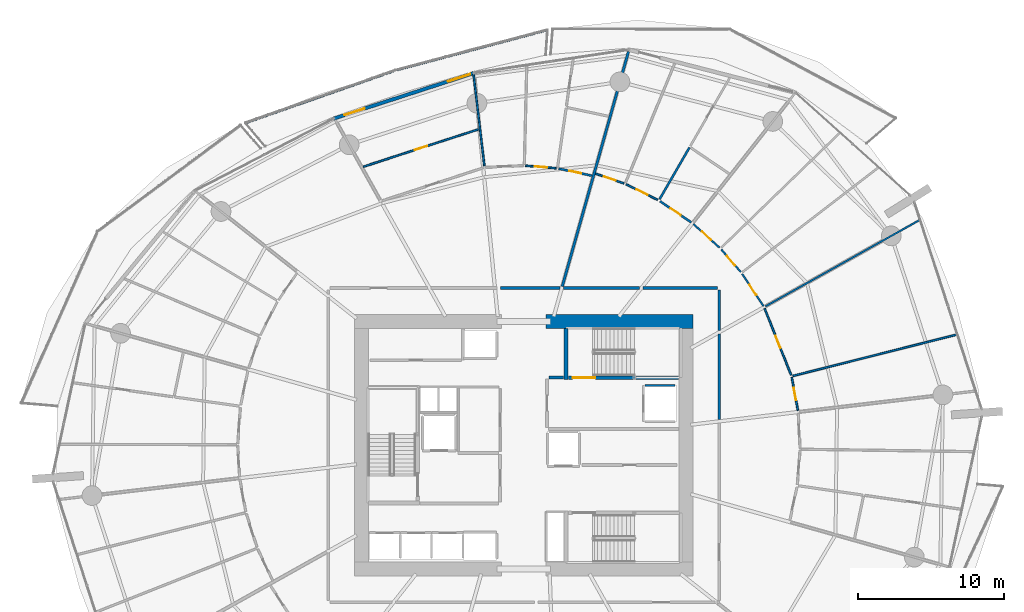
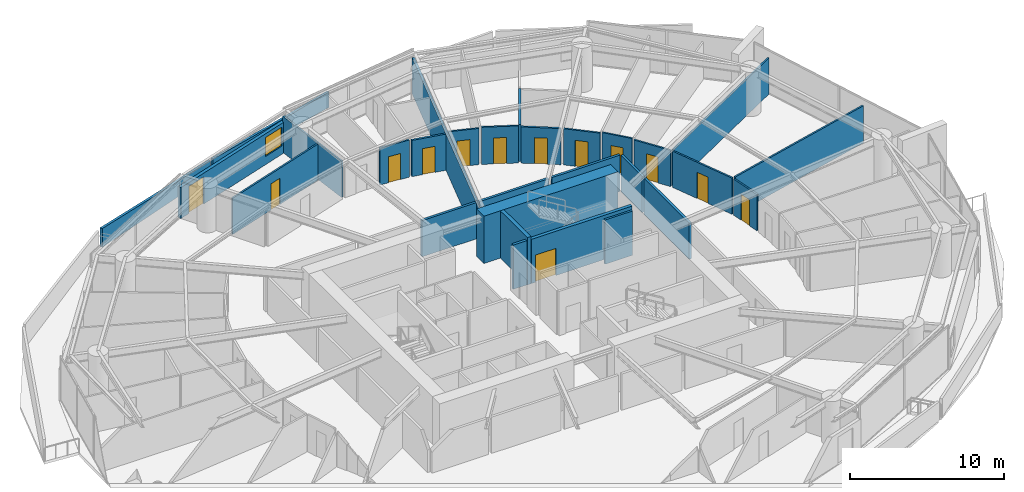
# One storey, part 23 of 31: 29 walls, 13 doors, 1 window, 14 openings.
"""IFC4 building model written with IfcOpenShell, lengths in metres."""

from ifc_helpers import new_model, si_unit, direction, frame, frame_2d, origin, place, context, subcontext, project, spatial, polyline, rectangle, outline, extrude, material, layer, layer_set, type_object, element, fill, save


model = new_model("IFC4")

# Units and contexts
model_context = context("Model", 3, precision=1e-05, world=origin(), true_north=direction((0.0, 1.0)))
body_context = subcontext(model_context, "Body", "Model", "MODEL_VIEW")
ifc_project = project(units=[si_unit("LENGTHUNIT", "METRE"), si_unit("AREAUNIT", "SQUARE_METRE"), si_unit("VOLUMEUNIT", "CUBIC_METRE"), si_unit("PLANEANGLEUNIT", "RADIAN"), si_unit("MASSUNIT", "GRAM", prefix="KILO")], contexts=[model_context])

# Site, building, storey
site_placement = place(None, origin())
site = spatial("IfcSite", under=ifc_project, at=site_placement, CompositionType="ELEMENT")
building_placement = place(site_placement, origin())
building = spatial("IfcBuilding", under=site, at=building_placement, Name="Kazma Halo Residences", CompositionType="ELEMENT")
storey_placement = place(building_placement, frame((0.0, 0.0, 45.14990234375)))
storey = spatial("IfcBuildingStorey", under=building, at=storey_placement, Name="L10", CompositionType="ELEMENT", Elevation=45.14990234375)

# Walls
ifc_material_1 = material(Name="White Concrete C50/60 Balustrade", Category="concrete")
ifc_layer_1 = layer(ifc_material_1, 0.179931640625)
ifc_layer_set_1 = layer_set([ifc_layer_1], Name="White Concrete C50/60 Balustrade")
wall_type_1 = type_object("IfcWallType", Name="WL-BAL-WAVE-180", PredefinedType="PARAPET", material=ifc_layer_set_1)
wall_1_placement = place(storey_placement, frame((50.06103515625, 70.406494140625, 0.0), z_axis=(0.0, 0.0, 1.0), x_axis=(-0.966585359961, -0.256344966614, 0.0)))
element("IfcWall", 1, at=wall_1_placement, inside=storey, type_object=wall_type_1, Name="L10 white wave balustrade wall NNW.1", PredefinedType="PARAPET", context=body_context, shape_type="SweptSolid", body=[
    extrude(outline(polyline([(0.0, 0.0), (10.63427734375, 0.0), (10.634521484375, 1.148193359375), (5.3173828125, 1.127197265625), (0.0, 1.22412109375), (0.0, 0.0)])), frame((0.0, 0.08984375, 0.0), z_axis=(0.0, -1.0, 0.0), x_axis=(1.0, 0.0, 0.0)), (0.0, 0.0, 1.0), 0.179931640625),
])
wall_2_placement = place(storey_placement, frame((39.552734375, 67.60986328125, 0.0), z_axis=(0.0, 0.0, 1.0), x_axis=(-0.943634553286, -0.330989168772, 0.0)))
element("IfcWall", 2, at=wall_2_placement, inside=storey, type_object=wall_type_1, Name="L10 white wave balustrade wall NNW.2", PredefinedType="PARAPET", context=body_context, shape_type="SweptSolid", body=[
    extrude(outline(polyline([(0.0, 0.0), (10.7587890625, 0.0), (10.7587890625, 1.483154296875), (5.37939453125, 1.2841796875), (0.0, 1.148193359375), (0.0, 0.0)])), frame((0.0, 0.08984375, 0.0), z_axis=(0.0, -1.0, 0.0), x_axis=(1.0, 0.0, 0.0)), (0.0, 0.0, 1.0), 0.179931640625),
])
ifc_material_2 = material(Name="Concrete C80/95", Category="concrete")
ifc_layer_2 = layer(ifc_material_2, 0.949951171875)
ifc_layer_set_2 = layer_set([ifc_layer_2], Name="Concrete C80/95")
wall_type_2 = type_object("IfcWallType", Name="WL-CORE-950", PredefinedType="SHEAR", material=ifc_layer_set_2)
wall_3_placement = place(storey_placement, frame((49.949951171875, 50.47509765625, 0.0), z_axis=(0.0, 0.0, 1.0), x_axis=(1.0, 0.0, 0.0)))
element("IfcWall", 3, at=wall_3_placement, inside=storey, type_object=wall_type_2, Name="L10 central core shear wall NE", PredefinedType="SHEAR", context=body_context, shape_type="SweptSolid", body=[
    extrude(rectangle(XDim=10.050048828125, YDim=0.949951171875, at=frame_2d((5.02490234375, 0.0))), origin(), (0.0, 0.0, 1.0), 3.75),
])
ifc_material_3 = material(Name="Concrete C60/75", Category="concrete")
ifc_layer_3 = layer(ifc_material_3, 0.280029296875)
ifc_layer_set_3 = layer_set([ifc_layer_3], Name="Concrete C60/75")
wall_type_3 = type_object("IfcWallType", Name="WL-CORE-ST-280", PredefinedType="SHEAR", material=ifc_layer_set_3)
wall_4_placement = place(storey_placement, frame((51.31005859375, 46.5, 0.0), z_axis=(0.0, 0.0, 1.0), x_axis=(0.0, 1.0, 0.0)))
element("IfcWall", 4, at=wall_4_placement, inside=storey, type_object=wall_type_3, Name="L10 stairwell bearing wall ST02-W", PredefinedType="SHEAR", context=body_context, shape_type="SweptSolid", body=[
    extrude(rectangle(XDim=3.5, YDim=0.280029296875, at=frame_2d((1.75, 0.0))), origin(), (0.0, 0.0, 1.0), 3.75),
])
ifc_material_4 = material(Name="Acoustic Twin-Stud Gypsum")
ifc_layer_4 = layer(ifc_material_4, 0.179931640625)
ifc_layer_set_4 = layer_set([ifc_layer_4], Name="Acoustic Twin-Stud Gypsum")
wall_type_4 = type_object("IfcWallType", Name="WL-DEM-180", PredefinedType="PARTITIONING", material=ifc_layer_set_4)
wall_5_placement = place(storey_placement, frame((51.061767578125, 52.85595703125, 0.0), z_axis=(0.0, 0.0, 1.0), x_axis=(0.27143758514, 0.962456044385, 0.0)))
element("IfcWall", 5, at=wall_5_placement, inside=storey, type_object=wall_type_4, Name="L10 apartment demising radial wall 02", PredefinedType="PARTITIONING", context=body_context, shape_type="SweptSolid", body=[
    extrude(rectangle(XDim=16.692626953125, YDim=0.179931640625, at=frame_2d((8.34619140625, 0.0))), origin(), (0.0, 0.0, 1.0), 2.8671875),
])
wall_6_placement = place(storey_placement, frame((50.911865234375, 52.75, 0.0), z_axis=(0.0, 0.0, 1.0), x_axis=(-1.0, 0.0, 0.0)))
element("IfcWall", 6, at=wall_6_placement, inside=storey, type_object=wall_type_4, Name="L10 Apartment 1 inner wall 2", PredefinedType="PARTITIONING", context=body_context, shape_type="SweptSolid", body=[
    extrude(rectangle(XDim=4.064208984375, YDim=0.179931640625, at=frame_2d((2.0322265625, 0.0))), origin(), (0.0, 0.0, 1.0), 2.8671875),
])
wall_7_placement = place(storey_placement, frame((61.800048828125, 43.75341796875, 0.0), z_axis=(0.0, 0.0, 1.0), x_axis=(0.0, 1.0, 0.0)))
element("IfcWall", 7, at=wall_7_placement, inside=storey, type_object=wall_type_4, Name="L10 Apartment 3 inner wall 15", PredefinedType="PARTITIONING", context=body_context, shape_type="SweptSolid", body=[
    extrude(rectangle(XDim=5.85498046875, YDim=0.179931640625, at=frame_2d((2.927490234375, 0.0))), origin(), (0.0, 0.0, 1.0), 2.8671875),
])
wall_8_placement = place(storey_placement, frame((61.800048828125, 49.848388671875, 0.0), z_axis=(0.0, 0.0, 1.0), x_axis=(0.0, 1.0, 0.0)))
element("IfcWall", 8, at=wall_8_placement, inside=storey, type_object=wall_type_4, Name="L10 Apartment 3 inner wall 0", PredefinedType="PARTITIONING", context=body_context, shape_type="SweptSolid", body=[
    extrude(rectangle(XDim=2.781494140625, YDim=0.179931640625, at=frame_2d((1.390625, 0.0))), origin(), (0.0, 0.0, 1.0), 2.8671875),
])
wall_9_placement = place(storey_placement, frame((61.679931640625, 52.75, 0.0), z_axis=(0.0, 0.0, 1.0), x_axis=(-1.0, 0.0, 0.0)))
element("IfcWall", 9, at=wall_9_placement, inside=storey, type_object=wall_type_4, Name="L10 Apartment 3 inner wall 0", PredefinedType="PARTITIONING", context=body_context, shape_type="SweptSolid", body=[
    extrude(rectangle(XDim=5.08544921875, YDim=0.179931640625, at=frame_2d((2.542724609375, 0.0))), origin(), (0.0, 0.0, 1.0), 2.8671875),
])
wall_10_placement = place(storey_placement, frame((56.3544921875, 52.75, 0.0), z_axis=(0.0, 0.0, 1.0), x_axis=(-1.0, 0.0, 0.0)))
element("IfcWall", 10, at=wall_10_placement, inside=storey, type_object=wall_type_4, Name="L10 Apartment 3 inner wall 1", PredefinedType="PARTITIONING", context=body_context, shape_type="SweptSolid", body=[
    extrude(rectangle(XDim=5.20263671875, YDim=0.179931640625, at=frame_2d((2.601318359375, 0.0))), origin(), (0.0, 0.0, 1.0), 2.8671875),
])

# Wall, openings, door, window
ifc_material_5 = material(Name="Insulated Pale-Metal Composite Wall")
ifc_layer_5 = layer(ifc_material_5, 0.239990234375)
ifc_layer_set_5 = layer_set([ifc_layer_5], Name="Insulated Pale-Metal Composite Wall")
wall_type_5 = type_object("IfcWallType", Name="WL-EXT-HOST-240", PredefinedType="SOLIDWALL", material=ifc_layer_set_5)
wall_11_placement = place(storey_placement, frame((45.0361328125, 67.45849609375, 0.0), z_axis=(0.0, 0.0, 1.0), x_axis=(-0.951054679225, -0.309022648238, 0.0)))
wall_11 = element("IfcWall", 11, at=wall_11_placement, inside=storey, type_object=wall_type_5, Name="L10 exterior terrace-access wall B04", PredefinedType="SOLIDWALL", context=body_context, shape_type="SweptSolid", body=[
    extrude(rectangle(XDim=10.0966796875, YDim=0.239990234375, at=frame_2d((5.04833984375, 0.0))), origin(), (0.0, 0.0, 1.0), 2.4501953125),
])
opening_1_placement = place(wall_11_placement, frame((7.876708984375, 0.0, 0.0)))
opening_1 = element("IfcOpeningElement", 12, at=opening_1_placement, cuts=wall_11, Name="Opening DTR-1600", PredefinedType="OPENING", context=body_context, shape_type="SweptSolid", body=[
    extrude(rectangle(XDim=1.449951171875, YDim=2.14990234375, at=frame_2d((0.72509765625, 1.074951171875))), frame((0.0, 0.1298828125, 0.0), z_axis=(0.0, -1.0, 0.0), x_axis=(1.0, 0.0, 0.0)), (0.0, 0.0, 1.0), 0.260009765625),
])
opening_2_placement = place(wall_11_placement, frame((0.280029296875, 0.0, 0.64990234375)))
opening_2 = element("IfcOpeningElement", 13, at=opening_2_placement, cuts=wall_11, Name="Opening W-1800", PredefinedType="OPENING", context=body_context, shape_type="SweptSolid", body=[
    extrude(rectangle(XDim=1.60009765625, YDim=1.5, at=frame_2d((0.800048828125, 0.75))), frame((0.0, 0.1298828125, 0.0), z_axis=(0.0, -1.0, 0.0), x_axis=(1.0, 0.0, 0.0)), (0.0, 0.0, 1.0), 0.260009765625),
])
ifc_material_6 = material(Name="Aluminium AW-6063 T6 Double-Glazed Terrace Door", Category="aluminium")
door_type_1 = type_object("IfcDoorType", Name="DR-EXT-TERR-1600", OperationType="NOTDEFINED", PredefinedType="DOOR", material=ifc_material_6)
door_1_placement = place(opening_1_placement, origin())
door_1 = element("IfcDoor", 14, at=door_1_placement, inside=storey, type_object=door_type_1, Name="L10 B04 balcony terrace door", OperationType="DOUBLE_DOOR_SLIDING", OverallHeight=2.14990234375, OverallWidth=1.449951171875, PredefinedType="DOOR", context=body_context, shape_type="SweptSolid", body=[
    extrude(rectangle(XDim=1.449951171875, YDim=2.14990234375, at=frame_2d((0.72509765625, 1.074951171875))), frame((0.0, 0.02490234375, 0.0), z_axis=(0.0, -1.0, 0.0), x_axis=(1.0, 0.0, 0.0)), (0.0, 0.0, 1.0), 0.050048828125),
])
fill(opening_1, door_1)
ifc_material_7 = material(Name="Clear Triple-Silver Low-E Glass in Aluminium AW-6063 T6 Frame", Category="aluminium")
window_type = type_object("IfcWindowType", Name="WIN-RES-1800", PartitioningType="DOUBLE_PANEL_VERTICAL", PredefinedType="WINDOW", material=ifc_material_7)
window_placement = place(opening_2_placement, origin())
window = element("IfcWindow", 15, at=window_placement, inside=storey, type_object=window_type, Name="L10 B04 apartment window", OverallHeight=1.5, OverallWidth=1.60009765625, PartitioningType="SINGLE_PANEL", PredefinedType="WINDOW", context=body_context, shape_type="SweptSolid", body=[
    extrude(rectangle(XDim=1.60009765625, YDim=1.5, at=frame_2d((0.800048828125, 0.75))), frame((0.0, 0.030029296875, 0.0), z_axis=(0.0, -1.0, 0.0), x_axis=(1.0, 0.0, 0.0)), (0.0, 0.0, 1.0), 0.06005859375),
])
fill(opening_2, window)

# Walls
ifc_material_8 = material(Name="Fire-Rated Blockwork Masonry", Category="masonry")
ifc_layer_6 = layer(ifc_material_8, 0.199951171875)
ifc_layer_set_6 = layer_set([ifc_layer_6], Name="Fire-Rated Blockwork Masonry")
wall_type_6 = type_object("IfcWallType", Name="WL-FLB-200", PredefinedType="PARTITIONING", material=ifc_layer_set_6)
wall_12_placement = place(storey_placement, frame((56.719970703125, 46.080078125, 0.0), z_axis=(0.0, 0.0, 1.0), x_axis=(1.0, 0.0, 0.0)))
element("IfcWall", 16, at=wall_12_placement, inside=storey, type_object=wall_type_6, Name="L10 lift shaft FL-02 side wall N", PredefinedType="PARTITIONING", context=body_context, shape_type="SweptSolid", body=[
    extrude(rectangle(XDim=2.06005859375, YDim=0.159912109375, at=frame_2d((1.030029296875, 0.0))), origin(), (0.0, 0.0, 1.0), 3.5),
])
wall_13_placement = place(storey_placement, frame((50.139892578125, 46.6201171875, 0.0), z_axis=(0.0, 0.0, 1.0), x_axis=(1.0, 0.0, 0.0)))
element("IfcWall", 17, at=wall_13_placement, inside=storey, type_object=wall_type_6, Name="L10 east firefighting lobby north closure wall", PredefinedType="PARTITIONING", context=body_context, shape_type="SweptSolid", body=[
    extrude(rectangle(XDim=1.02001953125, YDim=0.199951171875, at=frame_2d((0.510009765625, 0.0))), origin(), (0.0, 0.0, 1.0), 3.5),
])

# Wall, opening, door
ifc_material_9 = material(Name="Gypsum Plasterboard Partition")
ifc_layer_7 = layer(ifc_material_9, 0.125)
ifc_layer_set_7 = layer_set([ifc_layer_7], Name="Gypsum Plasterboard Partition")
wall_type_7 = type_object("IfcWallType", Name="WL-PART-125", PredefinedType="PARTITIONING", material=ifc_layer_set_7)
wall_14_placement = place(storey_placement, frame((50.642822265625, 60.94140625, 0.0), z_axis=(0.0, 0.0, 1.0), x_axis=(-0.996476516502, 0.083872236525, 0.0)))
wall_14 = element("IfcWall", 18, at=wall_14_placement, inside=storey, type_object=wall_type_7, Name="L10 Apartment 1 Gourmet Kitchen hall wall", PredefinedType="PARTITIONING", context=body_context, shape_type="SweptSolid", body=[
    extrude(rectangle(XDim=2.1015625, YDim=0.125, at=frame_2d((1.05078125, 0.0))), origin(), (0.0, 0.0, 1.0), 2.940185546875),
])
opening_3_placement = place(wall_14_placement, frame((0.6259765625, 0.0, 0.0)))
opening_3 = element("IfcOpeningElement", 19, at=opening_3_placement, cuts=wall_14, Name="Opening DB-900", PredefinedType="OPENING", context=body_context, shape_type="SweptSolid", body=[
    extrude(rectangle(XDim=0.85009765625, YDim=2.06005859375, at=frame_2d((0.425048828125, 1.030029296875))), frame((0.0, 0.072509765625, 0.0), z_axis=(0.0, -1.0, 0.0), x_axis=(1.0, 0.0, 0.0)), (0.0, 0.0, 1.0), 0.14501953125),
])
ifc_material_10 = material(Name="Moisture-Sealed Timber Leaf", Category="wood")
door_type_2 = type_object("IfcDoorType", Name="DR-BTH-900", OperationType="NOTDEFINED", PredefinedType="DOOR", material=ifc_material_10)
door_2_placement = place(opening_3_placement, origin())
door_2 = element("IfcDoor", 20, at=door_2_placement, inside=storey, type_object=door_type_2, Name="L10 Apartment 1 Gourmet Kitchen door", OperationType="SINGLE_SWING_LEFT", OverallHeight=2.06005859375, OverallWidth=0.85009765625, PredefinedType="DOOR", context=body_context, shape_type="SweptSolid", body=[
    extrude(rectangle(XDim=0.85009765625, YDim=2.06005859375, at=frame_2d((0.425048828125, 1.030029296875))), frame((0.0, 0.02490234375, 0.0), z_axis=(0.0, -1.0, 0.0), x_axis=(1.0, 0.0, 0.0)), (0.0, 0.0, 1.0), 0.050048828125),
])
fill(opening_3, door_2)

# Wall
wall_15_placement = place(storey_placement, frame((45.73974609375, 61.0966796875, 0.0), z_axis=(0.0, 0.0, 1.0), x_axis=(-0.117513247181, 0.993071315031, 0.0)))
element("IfcWall", 21, at=wall_15_placement, inside=storey, type_object=wall_type_7, Name="L10 Apartment 1 radial partition 3", PredefinedType="PARTITIONING", context=body_context, shape_type="SweptSolid", body=[
    extrude(rectangle(XDim=6.36572265625, YDim=0.125, at=frame_2d((3.182861328125, 0.0))), origin(), (0.0, 0.0, 1.0), 2.8671875),
])

# Wall, opening, door
wall_16_placement = place(storey_placement, frame((45.334228515625, 63.60498046875, 0.0), z_axis=(0.0, 0.0, 1.0), x_axis=(-0.951055512715, -0.309020083061, 0.0)))
wall_16 = element("IfcWall", 22, at=wall_16_placement, inside=storey, type_object=wall_type_7, Name="L10 Apartment 1 West Bedroom divider wall", PredefinedType="PARTITIONING", context=body_context, shape_type="SweptSolid", body=[
    extrude(rectangle(XDim=8.281982421875, YDim=0.125, at=frame_2d((4.14111328125, 0.0))), origin(), (0.0, 0.0, 1.0), 2.8671875),
])
opening_4_placement = place(wall_16_placement, frame((3.691162109375, 0.0, 0.0)))
opening_4 = element("IfcOpeningElement", 23, at=opening_4_placement, cuts=wall_16, Name="Opening DI-950", PredefinedType="OPENING", context=body_context, shape_type="SweptSolid", body=[
    extrude(rectangle(XDim=0.89990234375, YDim=2.080078125, at=frame_2d((0.449951171875, 1.0400390625))), frame((0.0, 0.072509765625, 0.0), z_axis=(0.0, -1.0, 0.0), x_axis=(1.0, 0.0, 0.0)), (0.0, 0.0, 1.0), 0.14501953125),
])
ifc_material_11 = material(Name="Timber Veneer Flush Leaf", Category="wood")
door_type_3 = type_object("IfcDoorType", Name="DR-INT-950", OperationType="NOTDEFINED", PredefinedType="DOOR", material=ifc_material_11)
door_3_placement = place(opening_4_placement, origin())
door_3 = element("IfcDoor", 24, at=door_3_placement, inside=storey, type_object=door_type_3, Name="L10 Apartment 1 West Bedroom door", OperationType="SINGLE_SWING_LEFT", OverallHeight=2.080078125, OverallWidth=0.89990234375, PredefinedType="DOOR", context=body_context, shape_type="SweptSolid", body=[
    extrude(rectangle(XDim=0.89990234375, YDim=2.080078125, at=frame_2d((0.449951171875, 1.0400390625))), frame((0.0, 0.02490234375, 0.0), z_axis=(0.0, -1.0, 0.0), x_axis=(1.0, 0.0, 0.0)), (0.0, 0.0, 1.0), 0.050048828125),
])
fill(opening_4, door_3)

# Wall
wall_17_placement = place(storey_placement, frame((66.83544921875, 46.74169921875, 0.0), z_axis=(0.0, 0.0, 1.0), x_axis=(0.96974434054, 0.244122743698, 0.0)))
element("IfcWall", 25, at=wall_17_placement, inside=storey, type_object=wall_type_7, Name="L10 Apartment 3 mid-bay wall 15", PredefinedType="PARTITIONING", context=body_context, shape_type="SweptSolid", body=[
    extrude(rectangle(XDim=11.579833984375, YDim=0.125, at=frame_2d((5.7900390625, 0.0))), origin(), (0.0, 0.0, 1.0), 2.940185546875),
])

# Wall, opening, door
wall_18_placement = place(storey_placement, frame((67.180908203125, 44.37060546875, 0.0), z_axis=(0.0, 0.0, 1.0), x_axis=(-0.181165121265, 0.98345269273, 0.0)))
wall_18 = element("IfcWall", 26, at=wall_18_placement, inside=storey, type_object=wall_type_7, Name="L10 Apartment 3 Primary Wine Pantry Store hall wall", PredefinedType="PARTITIONING", context=body_context, shape_type="SweptSolid", body=[
    extrude(rectangle(XDim=2.308349609375, YDim=0.125, at=frame_2d((1.154296875, 0.0))), origin(), (0.0, 0.0, 1.0), 2.8671875),
])
opening_5_placement = place(wall_18_placement, frame((0.729248046875, 0.0, 0.0)))
opening_5 = element("IfcOpeningElement", 27, at=opening_5_placement, cuts=wall_18, Name="Opening DB-900", PredefinedType="OPENING", context=body_context, shape_type="SweptSolid", body=[
    extrude(rectangle(XDim=0.85009765625, YDim=2.06005859375, at=frame_2d((0.425048828125, 1.030029296875))), frame((0.0, 0.072509765625, 0.0), z_axis=(0.0, -1.0, 0.0), x_axis=(1.0, 0.0, 0.0)), (0.0, 0.0, 1.0), 0.14501953125),
])
door_4_placement = place(opening_5_placement, origin())
door_4 = element("IfcDoor", 28, at=door_4_placement, inside=storey, type_object=door_type_2, Name="L10 Apartment 3 Primary Wine Pantry Store door", OperationType="SINGLE_SWING_RIGHT", OverallHeight=2.06005859375, OverallWidth=0.85009765625, PredefinedType="DOOR", context=body_context, shape_type="SweptSolid", body=[
    extrude(rectangle(XDim=0.85009765625, YDim=2.06005859375, at=frame_2d((0.425048828125, 1.030029296875))), frame((0.0, 0.02490234375, 0.0), z_axis=(0.0, -1.0, 0.0), x_axis=(1.0, 0.0, 0.0)), (0.0, 0.0, 1.0), 0.050048828125),
])
fill(opening_5, door_4)

wall_19_placement = place(storey_placement, frame((66.718505859375, 46.7939453125, 0.0), z_axis=(0.0, 0.0, 1.0), x_axis=(-0.369571376039, 0.929202345032, 0.0)))
wall_19 = element("IfcWall", 29, at=wall_19_placement, inside=storey, type_object=wall_type_7, Name="L10 Apartment 3 Secondary Formal Dining Room hall wall", PredefinedType="PARTITIONING", context=body_context, shape_type="SweptSolid", body=[
    extrude(rectangle(XDim=4.906982421875, YDim=0.125, at=frame_2d((2.45361328125, 0.0))), origin(), (0.0, 0.0, 1.0), 2.8671875),
])
opening_6_placement = place(wall_19_placement, frame((2.003662109375, 0.0, 0.0)))
opening_6 = element("IfcOpeningElement", 30, at=opening_6_placement, cuts=wall_19, Name="Opening DI-950", PredefinedType="OPENING", context=body_context, shape_type="SweptSolid", body=[
    extrude(rectangle(XDim=0.89990234375, YDim=2.080078125, at=frame_2d((0.449951171875, 1.0400390625))), frame((0.0, 0.072509765625, 0.0), z_axis=(0.0, -1.0, 0.0), x_axis=(1.0, 0.0, 0.0)), (0.0, 0.0, 1.0), 0.14501953125),
])
door_5_placement = place(opening_6_placement, origin())
door_5 = element("IfcDoor", 31, at=door_5_placement, inside=storey, type_object=door_type_3, Name="L10 Apartment 3 Secondary Formal Dining Room door", OperationType="SINGLE_SWING_LEFT", OverallHeight=2.080078125, OverallWidth=0.89990234375, PredefinedType="DOOR", context=body_context, shape_type="SweptSolid", body=[
    extrude(rectangle(XDim=0.89990234375, YDim=2.080078125, at=frame_2d((0.449951171875, 1.0400390625))), frame((0.0, 0.02490234375, 0.0), z_axis=(0.0, -1.0, 0.0), x_axis=(1.0, 0.0, 0.0)), (0.0, 0.0, 1.0), 0.050048828125),
])
fill(opening_6, door_5)

# Wall
wall_20_placement = place(storey_placement, frame((64.955078125, 51.495361328125, 0.0), z_axis=(0.0, 0.0, 1.0), x_axis=(0.872499825659, 0.488614422857, 0.0)))
element("IfcWall", 32, at=wall_20_placement, inside=storey, type_object=wall_type_7, Name="L10 Apartment 3 radial partition 0", PredefinedType="PARTITIONING", context=body_context, shape_type="SweptSolid", body=[
    extrude(rectangle(XDim=12.105712890625, YDim=0.125, at=frame_2d((6.052734375, 0.0))), origin(), (0.0, 0.0, 1.0), 2.8671875),
])

# Wall, opening, door
wall_21_placement = place(storey_placement, frame((64.823974609375, 51.51318359375, 0.0), z_axis=(0.0, 0.0, 1.0), x_axis=(-0.550627570513, 0.834751027906, 0.0)))
wall_21 = element("IfcWall", 33, at=wall_21_placement, inside=storey, type_object=wall_type_7, Name="L10 Apartment 3 North Master Bedroom hall wall", PredefinedType="PARTITIONING", context=body_context, shape_type="SweptSolid", body=[
    extrude(rectangle(XDim=2.646484375, YDim=0.125, at=frame_2d((1.3232421875, 0.0))), origin(), (0.0, 0.0, 1.0), 2.8671875),
])
opening_7_placement = place(wall_21_placement, frame((0.898193359375, 0.0, 0.0)))
opening_7 = element("IfcOpeningElement", 34, at=opening_7_placement, cuts=wall_21, Name="Opening DB-900", PredefinedType="OPENING", context=body_context, shape_type="SweptSolid", body=[
    extrude(rectangle(XDim=0.85009765625, YDim=2.06005859375, at=frame_2d((0.425048828125, 1.030029296875))), frame((0.0, 0.072509765625, 0.0), z_axis=(0.0, -1.0, 0.0), x_axis=(1.0, 0.0, 0.0)), (0.0, 0.0, 1.0), 0.14501953125),
])
door_6_placement = place(opening_7_placement, origin())
door_6 = element("IfcDoor", 35, at=door_6_placement, inside=storey, type_object=door_type_2, Name="L10 Apartment 3 North Master Bedroom door", OperationType="SINGLE_SWING_RIGHT", OverallHeight=2.06005859375, OverallWidth=0.85009765625, PredefinedType="DOOR", context=body_context, shape_type="SweptSolid", body=[
    extrude(rectangle(XDim=0.85009765625, YDim=2.06005859375, at=frame_2d((0.425048828125, 1.030029296875))), frame((0.0, 0.02490234375, 0.0), z_axis=(0.0, -1.0, 0.0), x_axis=(1.0, 0.0, 0.0)), (0.0, 0.0, 1.0), 0.050048828125),
])
fill(opening_7, door_6)

wall_22_placement = place(storey_placement, frame((63.270263671875, 53.849853515625, 0.0), z_axis=(0.0, 0.0, 1.0), x_axis=(-0.653978023322, 0.756513545822, 0.0)))
wall_22 = element("IfcWall", 36, at=wall_22_placement, inside=storey, type_object=wall_type_7, Name="L10 Apartment 3 South Study hall wall", PredefinedType="PARTITIONING", context=body_context, shape_type="SweptSolid", body=[
    extrude(rectangle(XDim=2.04052734375, YDim=0.125, at=frame_2d((1.020263671875, 0.0))), origin(), (0.0, 0.0, 1.0), 2.940185546875),
])
opening_8_placement = place(wall_22_placement, frame((0.59521484375, 0.0, 0.0)))
opening_8 = element("IfcOpeningElement", 37, at=opening_8_placement, cuts=wall_22, Name="Opening DB-900", PredefinedType="OPENING", context=body_context, shape_type="SweptSolid", body=[
    extrude(rectangle(XDim=0.85009765625, YDim=2.06005859375, at=frame_2d((0.425048828125, 1.030029296875))), frame((0.0, 0.072509765625, 0.0), z_axis=(0.0, -1.0, 0.0), x_axis=(1.0, 0.0, 0.0)), (0.0, 0.0, 1.0), 0.14501953125),
])
door_7_placement = place(opening_8_placement, origin())
door_7 = element("IfcDoor", 38, at=door_7_placement, inside=storey, type_object=door_type_2, Name="L10 Apartment 3 South Study door", OperationType="SINGLE_SWING_LEFT", OverallHeight=2.06005859375, OverallWidth=0.85009765625, PredefinedType="DOOR", context=body_context, shape_type="SweptSolid", body=[
    extrude(rectangle(XDim=0.85009765625, YDim=2.06005859375, at=frame_2d((0.425048828125, 1.030029296875))), frame((0.0, 0.02490234375, 0.0), z_axis=(0.0, -1.0, 0.0), x_axis=(1.0, 0.0, 0.0)), (0.0, 0.0, 1.0), 0.050048828125),
])
fill(opening_8, door_7)

wall_23_placement = place(storey_placement, frame((61.82421875, 55.5078125, 0.0), z_axis=(0.0, 0.0, 1.0), x_axis=(-0.742309867555, 0.670056759185, 0.0)))
wall_23 = element("IfcWall", 39, at=wall_23_placement, inside=storey, type_object=wall_type_7, Name="L10 Apartment 3 Inner Master Bedroom hall wall", PredefinedType="PARTITIONING", context=body_context, shape_type="SweptSolid", body=[
    extrude(rectangle(XDim=2.41943359375, YDim=0.125, at=frame_2d((1.209716796875, 0.0))), origin(), (0.0, 0.0, 1.0), 2.8671875),
])
opening_9_placement = place(wall_23_placement, frame((0.78466796875, 0.0, 0.0)))
opening_9 = element("IfcOpeningElement", 40, at=opening_9_placement, cuts=wall_23, Name="Opening DB-900", PredefinedType="OPENING", context=body_context, shape_type="SweptSolid", body=[
    extrude(rectangle(XDim=0.85009765625, YDim=2.06005859375, at=frame_2d((0.425048828125, 1.030029296875))), frame((0.0, 0.072509765625, 0.0), z_axis=(0.0, -1.0, 0.0), x_axis=(1.0, 0.0, 0.0)), (0.0, 0.0, 1.0), 0.14501953125),
])
door_8_placement = place(opening_9_placement, origin())
door_8 = element("IfcDoor", 41, at=door_8_placement, inside=storey, type_object=door_type_2, Name="L10 Apartment 3 Inner Master Bedroom door", OperationType="SINGLE_SWING_RIGHT", OverallHeight=2.06005859375, OverallWidth=0.85009765625, PredefinedType="DOOR", context=body_context, shape_type="SweptSolid", body=[
    extrude(rectangle(XDim=0.85009765625, YDim=2.06005859375, at=frame_2d((0.425048828125, 1.030029296875))), frame((0.0, 0.02490234375, 0.0), z_axis=(0.0, -1.0, 0.0), x_axis=(1.0, 0.0, 0.0)), (0.0, 0.0, 1.0), 0.050048828125),
])
fill(opening_9, door_8)

wall_24_placement = place(storey_placement, frame((57.590087890625, 58.780029296875, 0.0), z_axis=(0.0, 0.0, 1.0), x_axis=(-0.897253651849, 0.44151544055, 0.0)))
wall_24 = element("IfcWall", 42, at=wall_24_placement, inside=storey, type_object=wall_type_7, Name="L10 Apartment 3 Garden Private Study hall wall", PredefinedType="PARTITIONING", context=body_context, shape_type="SweptSolid", body=[
    extrude(rectangle(XDim=2.403076171875, YDim=0.125, at=frame_2d((1.20166015625, 0.0))), origin(), (0.0, 0.0, 1.0), 2.940185546875),
])
opening_10_placement = place(wall_24_placement, frame((0.776611328125, 0.0, 0.0)))
opening_10 = element("IfcOpeningElement", 43, at=opening_10_placement, cuts=wall_24, Name="Opening DB-900", PredefinedType="OPENING", context=body_context, shape_type="SweptSolid", body=[
    extrude(rectangle(XDim=0.85009765625, YDim=2.06005859375, at=frame_2d((0.425048828125, 1.030029296875))), frame((0.0, 0.072509765625, 0.0), z_axis=(0.0, -1.0, 0.0), x_axis=(1.0, 0.0, 0.0)), (0.0, 0.0, 1.0), 0.14501953125),
])
door_9_placement = place(opening_10_placement, origin())
door_9 = element("IfcDoor", 44, at=door_9_placement, inside=storey, type_object=door_type_2, Name="L10 Apartment 3 Garden Private Study door", OperationType="SINGLE_SWING_RIGHT", OverallHeight=2.06005859375, OverallWidth=0.85009765625, PredefinedType="DOOR", context=body_context, shape_type="SweptSolid", body=[
    extrude(rectangle(XDim=0.85009765625, YDim=2.06005859375, at=frame_2d((0.425048828125, 1.030029296875))), frame((0.0, 0.02490234375, 0.0), z_axis=(0.0, -1.0, 0.0), x_axis=(1.0, 0.0, 0.0)), (0.0, 0.0, 1.0), 0.050048828125),
])
fill(opening_10, door_9)

wall_25_placement = place(storey_placement, frame((55.286376953125, 59.902587890625, 0.0), z_axis=(0.0, 0.0, 1.0), x_axis=(-0.945148238154, 0.326641711842, 0.0)))
wall_25 = element("IfcWall", 45, at=wall_25_placement, inside=storey, type_object=wall_type_7, Name="L10 Apartment 3 Sky Master Bedroom hall wall", PredefinedType="PARTITIONING", context=body_context, shape_type="SweptSolid", body=[
    extrude(rectangle(XDim=2.056884765625, YDim=0.125, at=frame_2d((1.0283203125, 0.0))), origin(), (0.0, 0.0, 1.0), 2.8671875),
])
opening_11_placement = place(wall_25_placement, frame((0.603515625, 0.0, 0.0)))
opening_11 = element("IfcOpeningElement", 46, at=opening_11_placement, cuts=wall_25, Name="Opening DB-900", PredefinedType="OPENING", context=body_context, shape_type="SweptSolid", body=[
    extrude(rectangle(XDim=0.85009765625, YDim=2.06005859375, at=frame_2d((0.425048828125, 1.030029296875))), frame((0.0, 0.072509765625, 0.0), z_axis=(0.0, -1.0, 0.0), x_axis=(1.0, 0.0, 0.0)), (0.0, 0.0, 1.0), 0.14501953125),
])
door_10_placement = place(opening_11_placement, origin())
door_10 = element("IfcDoor", 47, at=door_10_placement, inside=storey, type_object=door_type_2, Name="L10 Apartment 3 Sky Master Bedroom door", OperationType="SINGLE_SWING_LEFT", OverallHeight=2.06005859375, OverallWidth=0.85009765625, PredefinedType="DOOR", context=body_context, shape_type="SweptSolid", body=[
    extrude(rectangle(XDim=0.85009765625, YDim=2.06005859375, at=frame_2d((0.425048828125, 1.030029296875))), frame((0.0, 0.02490234375, 0.0), z_axis=(0.0, -1.0, 0.0), x_axis=(1.0, 0.0, 0.0)), (0.0, 0.0, 1.0), 0.050048828125),
])
fill(opening_11, door_10)

ifc_material_12 = material(Name="Concrete C50/60", Category="concrete")
ifc_layer_8 = layer(ifc_material_12, 0.25)
ifc_layer_set_8 = layer_set([ifc_layer_8], Name="Concrete C50/60")
wall_type_8 = type_object("IfcWallType", Name="WL-SHF-250", PredefinedType="SOLIDWALL", material=ifc_layer_set_8)
wall_26_placement = place(storey_placement, frame((51.47998046875, 46.6201171875, 0.0), z_axis=(0.0, 0.0, 1.0), x_axis=(1.0, 0.0, 0.0)))
wall_26 = element("IfcWall", 48, at=wall_26_placement, inside=storey, type_object=wall_type_8, Name="L10 exit stair ST-02 enclosure wall", PredefinedType="SOLIDWALL", context=body_context, shape_type="SweptSolid", body=[
    extrude(rectangle(XDim=7.5400390625, YDim=0.25, at=frame_2d((3.77001953125, 0.0))), origin(), (0.0, 0.0, 1.0), 3.5),
])
opening_12_placement = place(wall_26_placement, frame((0.300048828125, 0.0, 0.0)))
opening_12 = element("IfcOpeningElement", 49, at=opening_12_placement, cuts=wall_26, Name="Opening D-ST2", PredefinedType="OPENING", context=body_context, shape_type="SweptSolid", body=[
    extrude(rectangle(XDim=1.550048828125, YDim=2.14990234375, at=frame_2d((0.77490234375, 1.074951171875))), frame((0.0, 0.135009765625, 0.0), z_axis=(0.0, -1.0, 0.0), x_axis=(1.0, 0.0, 0.0)), (0.0, 0.0, 1.0), 0.27001953125),
])
ifc_material_13 = material(Name="Fire-Rated Double Steel Leaf", Category="steel")
door_type_4 = type_object("IfcDoorType", Name="DR-FD90-1550", OperationType="NOTDEFINED", PredefinedType="DOOR", material=ifc_material_13)
door_11_placement = place(opening_12_placement, origin())
door_11 = element("IfcDoor", 50, at=door_11_placement, inside=storey, type_object=door_type_4, Name="L10 exit stair ST-02 fire door", OperationType="DOUBLE_DOOR_SINGLE_SWING", OverallHeight=2.14990234375, OverallWidth=1.550048828125, PredefinedType="DOOR", context=body_context, shape_type="SweptSolid", body=[
    extrude(rectangle(XDim=1.550048828125, YDim=2.14990234375, at=frame_2d((0.77490234375, 1.074951171875))), frame((0.0, 0.02490234375, 0.0), z_axis=(0.0, -1.0, 0.0), x_axis=(1.0, 0.0, 0.0)), (0.0, 0.0, 1.0), 0.050048828125),
])
fill(opening_12, door_11)

ifc_material_14 = material(Name="Moisture-Resistant Gypsum")
ifc_layer_9 = layer(ifc_material_14, 0.14990234375)
ifc_layer_set_9 = layer_set([ifc_layer_9], Name="Moisture-Resistant Gypsum")
wall_type_9 = type_object("IfcWallType", Name="WL-WET-150", PredefinedType="PARTITIONING", material=ifc_layer_set_9)
wall_27_placement = place(storey_placement, frame((53.094970703125, 60.4326171875, 0.0), z_axis=(0.0, 0.0, 1.0), x_axis=(-0.978236708656, 0.207492028371, 0.0)))
wall_27 = element("IfcWall", 51, at=wall_27_placement, inside=storey, type_object=wall_type_9, Name="L10 Apartment 1 Guest Bathroom hall wall", PredefinedType="PARTITIONING", context=body_context, shape_type="SweptSolid", body=[
    extrude(rectangle(XDim=2.324951171875, YDim=0.14990234375, at=frame_2d((1.16259765625, 0.0))), origin(), (0.0, 0.0, 1.0), 2.8671875),
])
opening_13_placement = place(wall_27_placement, frame((0.737548828125, 0.0, 0.0)))
opening_13 = element("IfcOpeningElement", 52, at=opening_13_placement, cuts=wall_27, Name="Opening DB-900", PredefinedType="OPENING", context=body_context, shape_type="SweptSolid", body=[
    extrude(rectangle(XDim=0.85009765625, YDim=2.06005859375, at=frame_2d((0.425048828125, 1.030029296875))), frame((0.0, 0.0849609375, 0.0), z_axis=(0.0, -1.0, 0.0), x_axis=(1.0, 0.0, 0.0)), (0.0, 0.0, 1.0), 0.169921875),
])
door_12_placement = place(opening_13_placement, origin())
door_12 = element("IfcDoor", 53, at=door_12_placement, inside=storey, type_object=door_type_2, Name="L10 Apartment 1 Guest Bathroom door", OperationType="SINGLE_SWING_LEFT", OverallHeight=2.06005859375, OverallWidth=0.85009765625, PredefinedType="DOOR", context=body_context, shape_type="SweptSolid", body=[
    extrude(rectangle(XDim=0.85009765625, YDim=2.06005859375, at=frame_2d((0.425048828125, 1.030029296875))), frame((0.0, 0.02490234375, 0.0), z_axis=(0.0, -1.0, 0.0), x_axis=(1.0, 0.0, 0.0)), (0.0, 0.0, 1.0), 0.050048828125),
])
fill(opening_13, door_12)

wall_28_placement = place(storey_placement, frame((59.885986328125, 57.238525390625, 0.0), z_axis=(0.0, 0.0, 1.0), x_axis=(-0.82772633423, 0.56113199483, 0.0)))
wall_28 = element("IfcWall", 54, at=wall_28_placement, inside=storey, type_object=wall_type_9, Name="L10 Apartment 3 Outer En-Suite Bathroom hall wall", PredefinedType="PARTITIONING", context=body_context, shape_type="SweptSolid", body=[
    extrude(rectangle(XDim=2.586181640625, YDim=0.14990234375, at=frame_2d((1.29296875, 0.0))), origin(), (0.0, 0.0, 1.0), 2.8671875),
])
opening_14_placement = place(wall_28_placement, frame((0.8681640625, 0.0, 0.0)))
opening_14 = element("IfcOpeningElement", 55, at=opening_14_placement, cuts=wall_28, Name="Opening DB-900", PredefinedType="OPENING", context=body_context, shape_type="SweptSolid", body=[
    extrude(rectangle(XDim=0.85009765625, YDim=2.06005859375, at=frame_2d((0.425048828125, 1.030029296875))), frame((0.0, 0.0849609375, 0.0), z_axis=(0.0, -1.0, 0.0), x_axis=(1.0, 0.0, 0.0)), (0.0, 0.0, 1.0), 0.169921875),
])
door_13_placement = place(opening_14_placement, origin())
door_13 = element("IfcDoor", 56, at=door_13_placement, inside=storey, type_object=door_type_2, Name="L10 Apartment 3 Outer En-Suite Bathroom door", OperationType="SINGLE_SWING_RIGHT", OverallHeight=2.06005859375, OverallWidth=0.85009765625, PredefinedType="DOOR", context=body_context, shape_type="SweptSolid", body=[
    extrude(rectangle(XDim=0.85009765625, YDim=2.06005859375, at=frame_2d((0.425048828125, 1.030029296875))), frame((0.0, 0.02490234375, 0.0), z_axis=(0.0, -1.0, 0.0), x_axis=(1.0, 0.0, 0.0)), (0.0, 0.0, 1.0), 0.050048828125),
])
fill(opening_14, door_13)

# Wall
wall_29_placement = place(storey_placement, frame((57.7158203125, 58.818115234375, 0.0), z_axis=(0.0, 0.0, 1.0), x_axis=(0.500196050528, 0.865912184368, 0.0)))
element("IfcWall", 57, at=wall_29_placement, inside=storey, type_object=wall_type_9, Name="L10 Apartment 3 Outer En-Suite Bathroom side wall", PredefinedType="PARTITIONING", context=body_context, shape_type="SweptSolid", body=[
    extrude(rectangle(XDim=4.090087890625, YDim=0.14990234375, at=frame_2d((2.044921875, 0.0))), origin(), (0.0, 0.0, 1.0), 2.940185546875),
])

save(model, "model.ifc")
